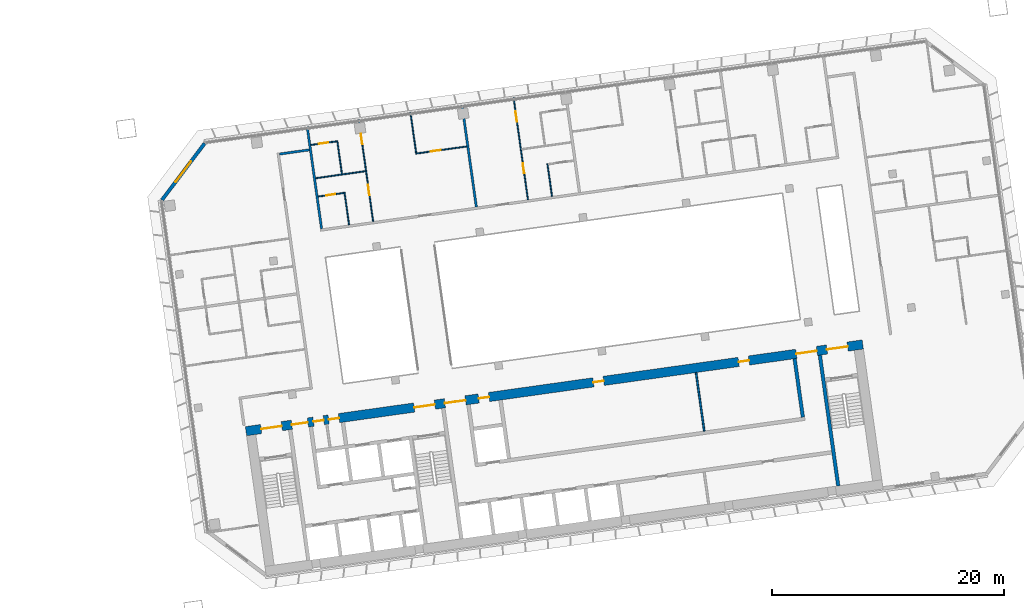
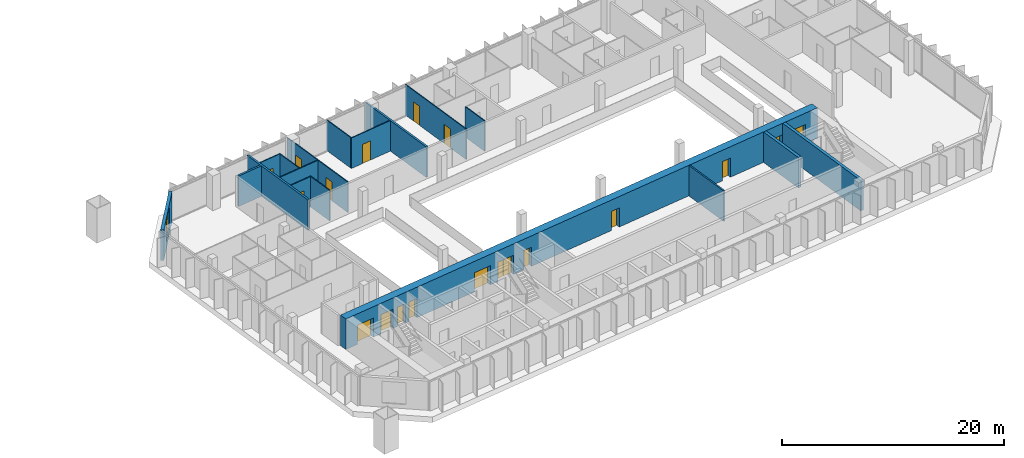
# One storey, part 21 of 27: 18 doors, 18 walls, 1 window, 19 openings.
"""IFC4 building model written with IfcOpenShell, lengths in metres."""

from ifc_helpers import new_model, si_unit, direction, frame, frame_2d, origin, place, context, subcontext, project, spatial, rectangle, extrude, material, layer, layer_set, type_object, element, fill, save


model = new_model("IFC4")

# Units and contexts
model_context = context("Model", 3, precision=1e-05, world=origin(), true_north=direction((0.0, 1.0)))
body_context = subcontext(model_context, "Body", "Model", "MODEL_VIEW")
ifc_project = project(units=[si_unit("LENGTHUNIT", "METRE"), si_unit("AREAUNIT", "SQUARE_METRE"), si_unit("VOLUMEUNIT", "CUBIC_METRE"), si_unit("PLANEANGLEUNIT", "RADIAN"), si_unit("MASSUNIT", "GRAM", prefix="KILO")], contexts=[model_context])

# Site, building, storey
site_placement = place(None, origin())
site = spatial("IfcSite", under=ifc_project, at=site_placement, CompositionType="ELEMENT")
building_placement = place(site_placement, origin())
building = spatial("IfcBuilding", under=site, at=building_placement, Name="Mirante Cascada Hotel Towers", CompositionType="ELEMENT")
storey_placement = place(building_placement, frame((0.0, 0.0, 117.7)))
storey = spatial("IfcBuildingStorey", under=building, at=storey_placement, Name="L26", CompositionType="ELEMENT", Elevation=117.7)

# Walls
ifc_material_1 = material(Name="Fire-rated plasterboard on metal studs")
ifc_layer_1 = layer(ifc_material_1, 0.2)
ifc_layer_set_1 = layer_set([ifc_layer_1], Name="Compartment wall 200 EI 120")
wall_type_1 = type_object("IfcWallType", Name="Compartment wall 200 EI 120", PredefinedType="PARTITIONING", material=ifc_layer_set_1)
wall_1_placement = place(storey_placement, frame((38.329, 16.3376, 0.0), z_axis=(0.0, 0.0, 1.0), x_axis=(0.9902647, 0.1391971, 0.0)))
element("IfcWall", 1, at=wall_1_placement, inside=storey, type_object=wall_type_1, Name="Wall 2-L26-27", PredefinedType="PARTITIONING", context=body_context, shape_type="SweptSolid", body=[
    extrude(rectangle(XDim=2.5999, YDim=0.2, at=frame_2d((1.3, 0.0))), origin(), (0.0, 0.0, 1.0), 3.35),
])
for number, where, z_axis, x_axis, name in (
    (2, (41.963, 9.8805, 0.0), (0.0, 0.0, 1.0), (-0.1391794, 0.9902672, 0.0), "Wall 2-L26-37"),
    (3, (54.0929, 20.5728, 0.0), (0.0, 0.0, 1.0), (0.1391794, -0.9902672, 0.0), "Wall 2-L26-42"),
):
    element("IfcWall", number, at=place(storey_placement, frame(where, z_axis=z_axis, x_axis=x_axis)), inside=storey, type_object=wall_type_1, Name=name, PredefinedType="PARTITIONING", context=body_context, shape_type="SweptSolid", body=[
        extrude(rectangle(XDim=8.9, YDim=0.2, at=frame_2d((4.45, 0.0))), origin(), (0.0, 0.0, 1.0), 3.35),
    ])
ifc_material_2 = material(Name="Masonry block", Category="masonry")
ifc_layer_2 = layer(ifc_material_2, 0.15)
ifc_layer_set_2 = layer_set([ifc_layer_2], Name="Core room partition 150 block EI 30")
wall_type_2 = type_object("IfcWallType", Name="Core room partition 150 block EI 30", PredefinedType="PARTITIONING", material=ifc_layer_set_2)
wall_2_placement = place(storey_placement, frame((75.016, -7.5894, 0.0), z_axis=(0.0, 0.0, 1.0), x_axis=(-0.1391755, 0.9902677, 0.0)))
element("IfcWall", 4, at=wall_2_placement, inside=storey, type_object=wall_type_2, Name="Core wall partition T2 L26 6", PredefinedType="PARTITIONING", context=body_context, shape_type="SweptSolid", body=[
    extrude(rectangle(XDim=5.1, YDim=0.15, at=frame_2d((2.55, 0.0))), origin(), (0.0, 0.0, 1.0), 3.35),
])

# Wall, opening, door
ifc_material_3 = material(Name="Plasterboard on metal studs")
ifc_layer_3 = layer(ifc_material_3, 0.1)
ifc_layer_set_3 = layer_set([ifc_layer_3], Name="Partition 100")
wall_type_3 = type_object("IfcWallType", Name="Partition 100", PredefinedType="PARTITIONING", material=ifc_layer_set_3)
wall_3_placement = place(storey_placement, frame((41.6723, 12.6672, 0.0), z_axis=(0.0, 0.0, 1.0), x_axis=(0.9902643, 0.1391997, 0.0)))
wall_3 = element("IfcWall", 5, at=wall_3_placement, inside=storey, type_object=wall_type_3, Name="Wall 2-L26-17", PredefinedType="PARTITIONING", context=body_context, shape_type="SweptSolid", body=[
    extrude(rectangle(XDim=2.25, YDim=0.1, at=frame_2d((1.125, 0.0))), origin(), (0.0, 0.0, 1.0), 3.35),
])
opening_1_placement = place(wall_3_placement, frame((0.7, 0.0, 0.0)))
opening_1 = element("IfcOpeningElement", 6, at=opening_1_placement, cuts=wall_3, Name="Opening D2-L26-13", PredefinedType="OPENING", context=body_context, shape_type="SweptSolid", body=[
    extrude(rectangle(XDim=0.8, YDim=2.1, at=frame_2d((0.4, 1.05))), frame((0.0, 0.05, 0.0), z_axis=(0.0, -1.0, 0.0), x_axis=(1.0, 0.0, 0.0)), (0.0, 0.0, 1.0), 0.1),
])
ifc_material_4 = material(Name="Timber door leaf", Category="wood")
door_type_1 = type_object("IfcDoorType", Name="Bathroom door DG4 800x2100", OperationType="SINGLE_SWING_LEFT", PredefinedType="DOOR", material=ifc_material_4)
door_1_placement = place(opening_1_placement, frame((0.8, 0.0, 0.0), z_axis=(0.0, 0.0, 1.0), x_axis=(-1.0, 0.0, 0.0)))
door_1 = element("IfcDoor", 7, at=door_1_placement, inside=storey, type_object=door_type_1, Name="Door D2-L26-13", OperationType="SINGLE_SWING_RIGHT", OverallHeight=2.1, OverallWidth=0.8, PredefinedType="DOOR", context=body_context, shape_type="SweptSolid", body=[
    extrude(rectangle(XDim=0.8, YDim=2.1, at=frame_2d((0.4, 1.05))), frame((0.0, 0.025, 0.0), z_axis=(0.0, -1.0, 0.0), x_axis=(1.0, 0.0, 0.0)), (0.0, 0.0, 1.0), 0.05),
])
fill(opening_1, door_1)

# Wall
wall_4_placement = place(storey_placement, frame((41.4496, 14.2516, 0.0), z_axis=(0.0, 0.0, 1.0), x_axis=(0.9902683, 0.1391714, 0.0)))
element("IfcWall", 8, at=wall_4_placement, inside=storey, type_object=wall_type_3, Name="Wall 2-L26-21", PredefinedType="PARTITIONING", context=body_context, shape_type="SweptSolid", body=[
    extrude(rectangle(XDim=4.35, YDim=0.1, at=frame_2d((2.175, 0.0))), origin(), (0.0, 0.0, 1.0), 3.35),
])

# Wall, opening, door
wall_5_placement = place(storey_placement, frame((50.0883, 16.3746, 0.0), z_axis=(0.0, 0.0, 1.0), x_axis=(0.9902683, 0.1391715, 0.0)))
wall_5 = element("IfcWall", 9, at=wall_5_placement, inside=storey, type_object=wall_type_3, Name="Wall 2-L26-25", PredefinedType="PARTITIONING", context=body_context, shape_type="SweptSolid", body=[
    extrude(rectangle(XDim=4.4499, YDim=0.1, at=frame_2d((2.225, 0.0))), origin(), (0.0, 0.0, 1.0), 3.35),
])
opening_2_placement = place(wall_5_placement, frame((1.3, 0.0, 0.0)))
opening_2 = element("IfcOpeningElement", 10, at=opening_2_placement, cuts=wall_5, Name="Opening D2-L26-18", PredefinedType="OPENING", context=body_context, shape_type="SweptSolid", body=[
    extrude(rectangle(XDim=0.9, YDim=2.1, at=frame_2d((0.45, 1.05))), frame((0.0, 0.05, 0.0), z_axis=(0.0, -1.0, 0.0), x_axis=(1.0, 0.0, 0.0)), (0.0, 0.0, 1.0), 0.1),
])
ifc_material_5 = material(Name="Timber door leaf", Category="wood")
door_type_2 = type_object("IfcDoorType", Name="Room door DG3 900x2100", OperationType="SINGLE_SWING_LEFT", PredefinedType="DOOR", material=ifc_material_5)
door_2_placement = place(opening_2_placement, frame((0.9, 0.0, 0.0), z_axis=(0.0, 0.0, 1.0), x_axis=(-1.0, 0.0, 0.0)))
door_2 = element("IfcDoor", 11, at=door_2_placement, inside=storey, type_object=door_type_2, Name="Door D2-L26-18", OperationType="SINGLE_SWING_RIGHT", OverallHeight=2.1, OverallWidth=0.9, PredefinedType="DOOR", context=body_context, shape_type="SweptSolid", body=[
    extrude(rectangle(XDim=0.9, YDim=2.1, at=frame_2d((0.45, 1.05))), frame((0.0, 0.025, 0.0), z_axis=(0.0, -1.0, 0.0), x_axis=(1.0, 0.0, 0.0)), (0.0, 0.0, 1.0), 0.05),
])
fill(opening_2, door_2)

wall_6_placement = place(storey_placement, frame((41.046, 17.1234, 0.0), z_axis=(0.0, 0.0, 1.0), x_axis=(0.9902643, 0.1391997, 0.0)))
wall_6 = element("IfcWall", 12, at=wall_6_placement, inside=storey, type_object=wall_type_3, Name="Wall 2-L26-29", PredefinedType="PARTITIONING", context=body_context, shape_type="SweptSolid", body=[
    extrude(rectangle(XDim=2.25, YDim=0.1, at=frame_2d((1.125, 0.0))), origin(), (0.0, 0.0, 1.0), 3.35),
])
opening_3_placement = place(wall_6_placement, frame((0.7, 0.0, 0.0)))
opening_3 = element("IfcOpeningElement", 13, at=opening_3_placement, cuts=wall_6, Name="Opening D2-L26-20", PredefinedType="OPENING", context=body_context, shape_type="SweptSolid", body=[
    extrude(rectangle(XDim=0.8, YDim=2.1, at=frame_2d((0.4, 1.05))), frame((0.0, 0.05, 0.0), z_axis=(0.0, -1.0, 0.0), x_axis=(1.0, 0.0, 0.0)), (0.0, 0.0, 1.0), 0.1),
])
door_3_placement = place(opening_3_placement, frame((0.8, 0.0, 0.0), z_axis=(0.0, 0.0, 1.0), x_axis=(-1.0, 0.0, 0.0)))
door_3 = element("IfcDoor", 14, at=door_3_placement, inside=storey, type_object=door_type_1, Name="Door D2-L26-20", OperationType="SINGLE_SWING_RIGHT", OverallHeight=2.1, OverallWidth=0.8, PredefinedType="DOOR", context=body_context, shape_type="SweptSolid", body=[
    extrude(rectangle(XDim=0.8, YDim=2.1, at=frame_2d((0.4, 1.05))), frame((0.0, 0.025, 0.0), z_axis=(0.0, -1.0, 0.0), x_axis=(1.0, 0.0, 0.0)), (0.0, 0.0, 1.0), 0.05),
])
fill(opening_3, door_3)

# Walls
wall_7_placement = place(storey_placement, frame((43.943, 13.0368, 0.0), z_axis=(0.0, 0.0, 1.0), x_axis=(0.1391613, -0.9902697, 0.0)))
element("IfcWall", 15, at=wall_7_placement, inside=storey, type_object=wall_type_3, Name="Wall 2-L26-38", PredefinedType="PARTITIONING", context=body_context, shape_type="SweptSolid", body=[
    extrude(rectangle(XDim=2.8499, YDim=0.1, at=frame_2d((1.425, 0.0))), origin(), (0.0, 0.0, 1.0), 3.35),
])
wall_8_placement = place(storey_placement, frame((43.7203, 14.6213, 0.0), z_axis=(0.0, 0.0, 1.0), x_axis=(-0.1391761, 0.9902676, 0.0)))
element("IfcWall", 16, at=wall_8_placement, inside=storey, type_object=wall_type_3, Name="Wall 2-L26-39", PredefinedType="PARTITIONING", context=body_context, shape_type="SweptSolid", body=[
    extrude(rectangle(XDim=2.8999, YDim=0.1, at=frame_2d((1.45, 0.0))), origin(), (0.0, 0.0, 1.0), 3.35),
])

# Wall, openings, doors
wall_9_placement = place(storey_placement, frame((45.1805, 19.3202, 0.0), z_axis=(0.0, 0.0, 1.0), x_axis=(0.1391794, -0.9902672, 0.0)))
wall_9 = element("IfcWall", 17, at=wall_9_placement, inside=storey, type_object=wall_type_3, Name="Wall 2-L26-40", PredefinedType="PARTITIONING", context=body_context, shape_type="SweptSolid", body=[
    extrude(rectangle(XDim=8.9, YDim=0.1, at=frame_2d((4.45, 0.0))), origin(), (0.0, 0.0, 1.0), 3.35),
])
opening_4_placement = place(wall_9_placement, frame((5.7, 0.0, 0.0)))
opening_4 = element("IfcOpeningElement", 18, at=opening_4_placement, cuts=wall_9, Name="Opening D2-L26-28", PredefinedType="OPENING", context=body_context, shape_type="SweptSolid", body=[
    extrude(rectangle(XDim=0.9, YDim=2.1, at=frame_2d((0.45, 1.05))), frame((0.0, 0.05, 0.0), z_axis=(0.0, -1.0, 0.0), x_axis=(1.0, 0.0, 0.0)), (0.0, 0.0, 1.0), 0.1),
])
opening_5_placement = place(wall_9_placement, frame((1.25, 0.0, 0.0)))
opening_5 = element("IfcOpeningElement", 19, at=opening_5_placement, cuts=wall_9, Name="Opening D2-L26-29", PredefinedType="OPENING", context=body_context, shape_type="SweptSolid", body=[
    extrude(rectangle(XDim=0.9, YDim=2.1, at=frame_2d((0.45, 1.05))), frame((0.0, 0.05, 0.0), z_axis=(0.0, -1.0, 0.0), x_axis=(1.0, 0.0, 0.0)), (0.0, 0.0, 1.0), 0.1),
])
door_4_placement = place(opening_4_placement, origin())
door_4 = element("IfcDoor", 20, at=door_4_placement, inside=storey, type_object=door_type_2, Name="Door D2-L26-28", OperationType="SINGLE_SWING_LEFT", OverallHeight=2.1, OverallWidth=0.9, PredefinedType="DOOR", context=body_context, shape_type="SweptSolid", body=[
    extrude(rectangle(XDim=0.9, YDim=2.1, at=frame_2d((0.45, 1.05))), frame((0.0, 0.025, 0.0), z_axis=(0.0, -1.0, 0.0), x_axis=(1.0, 0.0, 0.0)), (0.0, 0.0, 1.0), 0.05),
])
fill(opening_4, door_4)
door_5_placement = place(opening_5_placement, origin())
door_5 = element("IfcDoor", 21, at=door_5_placement, inside=storey, type_object=door_type_2, Name="Door D2-L26-29", OperationType="SINGLE_SWING_LEFT", OverallHeight=2.1, OverallWidth=0.9, PredefinedType="DOOR", context=body_context, shape_type="SweptSolid", body=[
    extrude(rectangle(XDim=0.9, YDim=2.1, at=frame_2d((0.45, 1.05))), frame((0.0, 0.025, 0.0), z_axis=(0.0, -1.0, 0.0), x_axis=(1.0, 0.0, 0.0)), (0.0, 0.0, 1.0), 0.05),
])
fill(opening_5, door_5)

# Wall
wall_10_placement = place(storey_placement, frame((50.1308, 16.431, 0.0), z_axis=(0.0, 0.0, 1.0), x_axis=(-0.139181, 0.990267, 0.0)))
element("IfcWall", 22, at=wall_10_placement, inside=storey, type_object=wall_type_3, Name="Wall 2-L26-41", PredefinedType="PARTITIONING", context=body_context, shape_type="SweptSolid", body=[
    extrude(rectangle(XDim=3.5501, YDim=0.1, at=frame_2d((1.775, 0.0))), origin(), (0.0, 0.0, 1.0), 3.35),
])

# Wall, openings, doors
wall_11_placement = place(storey_placement, frame((59.7878, 12.3857, 0.0), z_axis=(0.0, 0.0, 1.0), x_axis=(-0.13917, 0.9902685, 0.0)))
wall_11 = element("IfcWall", 23, at=wall_11_placement, inside=storey, type_object=wall_type_3, Name="Wall 2-L26-43", PredefinedType="PARTITIONING", context=body_context, shape_type="SweptSolid", body=[
    extrude(rectangle(XDim=8.8999, YDim=0.1, at=frame_2d((4.45, 0.0))), origin(), (0.0, 0.0, 1.0), 3.35),
])
opening_6_placement = place(wall_11_placement, frame((2.3, 0.0, 0.0)))
opening_6 = element("IfcOpeningElement", 24, at=opening_6_placement, cuts=wall_11, Name="Opening D2-L26-30", PredefinedType="OPENING", context=body_context, shape_type="SweptSolid", body=[
    extrude(rectangle(XDim=0.9, YDim=2.1, at=frame_2d((0.45, 1.05))), frame((0.0, 0.05, 0.0), z_axis=(0.0, -1.0, 0.0), x_axis=(1.0, 0.0, 0.0)), (0.0, 0.0, 1.0), 0.1),
])
opening_7_placement = place(wall_11_placement, frame((6.8, 0.0, 0.0)))
opening_7 = element("IfcOpeningElement", 25, at=opening_7_placement, cuts=wall_11, Name="Opening D2-L26-31", PredefinedType="OPENING", context=body_context, shape_type="SweptSolid", body=[
    extrude(rectangle(XDim=0.9, YDim=2.1, at=frame_2d((0.45, 1.05))), frame((0.0, 0.05, 0.0), z_axis=(0.0, -1.0, 0.0), x_axis=(1.0, 0.0, 0.0)), (0.0, 0.0, 1.0), 0.1),
])
door_6_placement = place(opening_6_placement, origin())
door_6 = element("IfcDoor", 26, at=door_6_placement, inside=storey, type_object=door_type_2, Name="Door D2-L26-30", OperationType="SINGLE_SWING_LEFT", OverallHeight=2.1, OverallWidth=0.9, PredefinedType="DOOR", context=body_context, shape_type="SweptSolid", body=[
    extrude(rectangle(XDim=0.9, YDim=2.1, at=frame_2d((0.45, 1.05))), frame((0.0, 0.025, 0.0), z_axis=(0.0, -1.0, 0.0), x_axis=(1.0, 0.0, 0.0)), (0.0, 0.0, 1.0), 0.05),
])
fill(opening_6, door_6)
door_7_placement = place(opening_7_placement, origin())
door_7 = element("IfcDoor", 27, at=door_7_placement, inside=storey, type_object=door_type_2, Name="Door D2-L26-31", OperationType="SINGLE_SWING_LEFT", OverallHeight=2.1, OverallWidth=0.9, PredefinedType="DOOR", context=body_context, shape_type="SweptSolid", body=[
    extrude(rectangle(XDim=0.9, YDim=2.1, at=frame_2d((0.45, 1.05))), frame((0.0, 0.025, 0.0), z_axis=(0.0, -1.0, 0.0), x_axis=(1.0, 0.0, 0.0)), (0.0, 0.0, 1.0), 0.05),
])
fill(opening_7, door_7)

# Wall
wall_12_placement = place(storey_placement, frame((61.4707, 15.5002, 0.0), z_axis=(0.0, 0.0, 1.0), x_axis=(0.1391909, -0.9902656, 0.0)))
element("IfcWall", 28, at=wall_12_placement, inside=storey, type_object=wall_type_3, Name="Wall 2-L26-44", PredefinedType="PARTITIONING", context=body_context, shape_type="SweptSolid", body=[
    extrude(rectangle(XDim=2.85, YDim=0.1, at=frame_2d((1.425, 0.0))), origin(), (0.0, 0.0, 1.0), 3.35),
])

# Wall, opening, window
ifc_material_6 = material(Name="Precast concrete C40/50", Category="concrete")
ifc_layer_4 = layer(ifc_material_6, 0.3)
ifc_layer_set_4 = layer_set([ifc_layer_4], Name="Precast concrete C40/50 cladding wall 300")
wall_type_4 = type_object("IfcWallType", Name="Precast concrete C40/50 cladding wall 300", PredefinedType="STANDARD", material=ifc_layer_set_4)
wall_13_placement = place(storey_placement, frame((31.857, 17.252, 0.0), z_axis=(0.0, 0.0, 1.0), x_axis=(-0.6018141, -0.7986362, 0.0)))
wall_13 = element("IfcWall", 29, at=wall_13_placement, inside=storey, type_object=wall_type_4, Name="Corner cladding wall T2 L26 front inner", PredefinedType="STANDARD", context=body_context, shape_type="SweptSolid", body=[
    extrude(rectangle(XDim=6.1157, YDim=0.3, at=frame_2d((3.0578, 0.0))), origin(), (0.0, 0.0, 1.0), 3.35),
])
opening_8_placement = place(wall_13_placement, frame((1.9578, 0.0, 0.6)))
opening_8 = element("IfcOpeningElement", 30, at=opening_8_placement, cuts=wall_13, Name="Opening W2-26-05", PredefinedType="OPENING", context=body_context, shape_type="SweptSolid", body=[
    extrude(rectangle(XDim=2.2, YDim=2.4, at=frame_2d((1.1, 1.2))), frame((0.0, 0.15, 0.0), z_axis=(0.0, -1.0, 0.0), x_axis=(1.0, 0.0, 0.0)), (0.0, 0.0, 1.0), 0.3),
])
ifc_material_7 = material(Name="Aluminium frame with clear double glazing", Category="aluminium")
window_type = type_object("IfcWindowType", Name="Corner suite window 2200x2400", PartitioningType="DOUBLE_PANEL_VERTICAL", PredefinedType="WINDOW", material=ifc_material_7)
window_placement = place(opening_8_placement, origin())
window = element("IfcWindow", 31, at=window_placement, inside=storey, type_object=window_type, Name="Window W2-26-05", OverallHeight=2.4, OverallWidth=2.2, PartitioningType="SINGLE_PANEL", PredefinedType="WINDOW", context=body_context, shape_type="SweptSolid", body=[
    extrude(rectangle(XDim=2.2, YDim=2.4, at=frame_2d((1.1, 1.2))), frame((0.0, 0.03, 0.0), z_axis=(0.0, -1.0, 0.0), x_axis=(1.0, 0.0, 0.0)), (0.0, 0.0, 1.0), 0.06),
])
fill(opening_8, window)

# Walls
ifc_material_8 = material(Name="Concrete C50/60", Category="concrete")
ifc_layer_5 = layer(ifc_material_8, 0.3)
ifc_layer_set_5 = layer_set([ifc_layer_5], Name="RC core wall 300 C50/60")
wall_type_5 = type_object("IfcWallType", Name="RC core wall 300 C50/60", PredefinedType="SHEAR", material=ifc_layer_set_5)
wall_14_placement = place(storey_placement, frame((86.5877, -12.325, 0.0), z_axis=(0.0, 0.0, 1.0), x_axis=(-0.1391749, 0.9902678, 0.0)))
element("IfcWall", 32, at=wall_14_placement, inside=storey, type_object=wall_type_5, Name="Core wall T2:L26:8", PredefinedType="SHEAR", context=body_context, shape_type="SweptSolid", body=[
    extrude(rectangle(XDim=11.4, YDim=0.3, at=frame_2d((5.7, 0.0))), origin(), (0.0, 0.0, 1.0), 3.35),
])
wall_15_placement = place(storey_placement, frame((83.5323, -6.3925, 0.0), z_axis=(0.0, 0.0, 1.0), x_axis=(-0.1391755, 0.9902677, 0.0)))
element("IfcWall", 33, at=wall_15_placement, inside=storey, type_object=wall_type_5, Name="Core wall T2:L26:34", PredefinedType="SHEAR", context=body_context, shape_type="SweptSolid", body=[
    extrude(rectangle(XDim=5.1, YDim=0.3, at=frame_2d((2.55, 0.0))), origin(), (0.0, 0.0, 1.0), 3.35),
])

# Wall, openings, doors
ifc_material_9 = material(Name="Concrete C50/60", Category="concrete")
ifc_layer_6 = layer(ifc_material_9, 0.8)
ifc_layer_set_6 = layer_set([ifc_layer_6], Name="RC core wall 800 C50/60")
wall_type_6 = type_object("IfcWallType", Name="RC core wall 800 C50/60", PredefinedType="SHEAR", material=ifc_layer_set_6)
wall_16_placement = place(storey_placement, frame((35.432, -7.5985, 0.0), z_axis=(0.0, 0.0, 1.0), x_axis=(0.9902681, 0.1391729, 0.0)))
wall_16 = element("IfcWall", 34, at=wall_16_placement, inside=storey, type_object=wall_type_6, Name="Core wall T2:L26:2", PredefinedType="SHEAR", context=body_context, shape_type="SweptSolid", body=[
    extrude(rectangle(XDim=53.8, YDim=0.8, at=frame_2d((26.9, 0.0))), origin(), (0.0, 0.0, 1.0), 3.35),
])
opening_9_placement = place(wall_16_placement, frame((1.325, 0.0, 0.0)))
opening_9 = element("IfcOpeningElement", 35, at=opening_9_placement, cuts=wall_16, Name="Opening D2-26-C14", PredefinedType="OPENING", context=body_context, shape_type="SweptSolid", body=[
    extrude(rectangle(XDim=1.8, YDim=2.1, at=frame_2d((0.9, 1.05))), frame((0.0, 0.4, 0.0), z_axis=(0.0, -1.0, 0.0), x_axis=(1.0, 0.0, 0.0)), (0.0, 0.0, 1.0), 0.8),
])
opening_10_placement = place(wall_16_placement, frame((14.675, 0.0, 0.0)))
opening_10 = element("IfcOpeningElement", 36, at=opening_10_placement, cuts=wall_16, Name="Opening D2-26-C16", PredefinedType="OPENING", context=body_context, shape_type="SweptSolid", body=[
    extrude(rectangle(XDim=1.8, YDim=2.1, at=frame_2d((0.9, 1.05))), frame((0.0, 0.4, 0.0), z_axis=(0.0, -1.0, 0.0), x_axis=(1.0, 0.0, 0.0)), (0.0, 0.0, 1.0), 0.8),
])
opening_11_placement = place(wall_16_placement, frame((50.675, 0.0, 0.0)))
opening_11 = element("IfcOpeningElement", 37, at=opening_11_placement, cuts=wall_16, Name="Opening D2-26-C18", PredefinedType="OPENING", context=body_context, shape_type="SweptSolid", body=[
    extrude(rectangle(XDim=1.8, YDim=2.1, at=frame_2d((0.9, 1.05))), frame((0.0, 0.4, 0.0), z_axis=(0.0, -1.0, 0.0), x_axis=(1.0, 0.0, 0.0)), (0.0, 0.0, 1.0), 0.8),
])
opening_12_placement = place(wall_16_placement, frame((4.0, 0.0, 0.0)))
opening_12 = element("IfcOpeningElement", 38, at=opening_12_placement, cuts=wall_16, Name="Opening D2-26-C19", PredefinedType="OPENING", context=body_context, shape_type="SweptSolid", body=[
    extrude(rectangle(XDim=1.4, YDim=2.1, at=frame_2d((0.7, 1.05))), frame((0.0, 0.4, 0.0), z_axis=(0.0, -1.0, 0.0), x_axis=(1.0, 0.0, 0.0)), (0.0, 0.0, 1.0), 0.8),
])
opening_13_placement = place(wall_16_placement, frame((17.35, 0.0, 0.0)))
opening_13 = element("IfcOpeningElement", 39, at=opening_13_placement, cuts=wall_16, Name="Opening D2-26-C20", PredefinedType="OPENING", context=body_context, shape_type="SweptSolid", body=[
    extrude(rectangle(XDim=1.8, YDim=2.1, at=frame_2d((0.9, 1.05))), frame((0.0, 0.4, 0.0), z_axis=(0.0, -1.0, 0.0), x_axis=(1.0, 0.0, 0.0)), (0.0, 0.0, 1.0), 0.8),
])
opening_14_placement = place(wall_16_placement, frame((48.0, 0.0, 0.0)))
opening_14 = element("IfcOpeningElement", 40, at=opening_14_placement, cuts=wall_16, Name="Opening D2-26-C21", PredefinedType="OPENING", context=body_context, shape_type="SweptSolid", body=[
    extrude(rectangle(XDim=1.8, YDim=2.1, at=frame_2d((0.9, 1.05))), frame((0.0, 0.4, 0.0), z_axis=(0.0, -1.0, 0.0), x_axis=(1.0, 0.0, 0.0)), (0.0, 0.0, 1.0), 0.8),
])
opening_15_placement = place(wall_16_placement, frame((5.8875, 0.0, 0.0)))
opening_15 = element("IfcOpeningElement", 41, at=opening_15_placement, cuts=wall_16, Name="Opening D2-26-C24", PredefinedType="OPENING", context=body_context, shape_type="SweptSolid", body=[
    extrude(rectangle(XDim=0.9, YDim=2.1, at=frame_2d((0.45, 1.05))), frame((0.0, 0.4, 0.0), z_axis=(0.0, -1.0, 0.0), x_axis=(1.0, 0.0, 0.0)), (0.0, 0.0, 1.0), 0.8),
])
opening_16_placement = place(wall_16_placement, frame((7.2125, 0.0, 0.0)))
opening_16 = element("IfcOpeningElement", 42, at=opening_16_placement, cuts=wall_16, Name="Opening D2-26-C25", PredefinedType="OPENING", context=body_context, shape_type="SweptSolid", body=[
    extrude(rectangle(XDim=0.9, YDim=2.1, at=frame_2d((0.45, 1.05))), frame((0.0, 0.4, 0.0), z_axis=(0.0, -1.0, 0.0), x_axis=(1.0, 0.0, 0.0)), (0.0, 0.0, 1.0), 0.8),
])
opening_17_placement = place(wall_16_placement, frame((20.3, 0.0, 0.0)))
opening_17 = element("IfcOpeningElement", 43, at=opening_17_placement, cuts=wall_16, Name="Opening D2-26-C28", PredefinedType="OPENING", context=body_context, shape_type="SweptSolid", body=[
    extrude(rectangle(XDim=0.9, YDim=2.1, at=frame_2d((0.45, 1.05))), frame((0.0, 0.4, 0.0), z_axis=(0.0, -1.0, 0.0), x_axis=(1.0, 0.0, 0.0)), (0.0, 0.0, 1.0), 0.8),
])
opening_18_placement = place(wall_16_placement, frame((30.3, 0.0, 0.0)))
opening_18 = element("IfcOpeningElement", 44, at=opening_18_placement, cuts=wall_16, Name="Opening D2-26-C29", PredefinedType="OPENING", context=body_context, shape_type="SweptSolid", body=[
    extrude(rectangle(XDim=0.9, YDim=2.1, at=frame_2d((0.45, 1.05))), frame((0.0, 0.4, 0.0), z_axis=(0.0, -1.0, 0.0), x_axis=(1.0, 0.0, 0.0)), (0.0, 0.0, 1.0), 0.8),
])
opening_19_placement = place(wall_16_placement, frame((42.975, 0.0, 0.0)))
opening_19 = element("IfcOpeningElement", 45, at=opening_19_placement, cuts=wall_16, Name="Opening D2-26-C30", PredefinedType="OPENING", context=body_context, shape_type="SweptSolid", body=[
    extrude(rectangle(XDim=0.9, YDim=2.1, at=frame_2d((0.45, 1.05))), frame((0.0, 0.4, 0.0), z_axis=(0.0, -1.0, 0.0), x_axis=(1.0, 0.0, 0.0)), (0.0, 0.0, 1.0), 0.8),
])
ifc_material_10 = material(Name="Hollow metal fire door leaf")
door_type_3 = type_object("IfcDoorType", Name="Double fire door 1400x2100 FD60", OperationType="DOUBLE_DOOR_SINGLE_SWING", PredefinedType="DOOR", material=ifc_material_10)
door_8_placement = place(opening_12_placement, origin())
door_8 = element("IfcDoor", 46, at=door_8_placement, inside=storey, type_object=door_type_3, Name="Exit door to gallery T2 L26 19", OperationType="DOUBLE_DOOR_SINGLE_SWING", OverallHeight=2.1, OverallWidth=1.4, PredefinedType="DOOR", context=body_context, shape_type="SweptSolid", body=[
    extrude(rectangle(XDim=0.695, YDim=2.1, at=frame_2d((0.3475, 1.05))), frame((0.0, 0.025, 0.0), z_axis=(0.0, -1.0, 0.0), x_axis=(1.0, 0.0, 0.0)), (0.0, 0.0, 1.0), 0.05),
    extrude(rectangle(XDim=0.695, YDim=2.1, at=frame_2d((1.0525, 1.05))), frame((0.0, 0.025, 0.0), z_axis=(0.0, -1.0, 0.0), x_axis=(1.0, 0.0, 0.0)), (0.0, 0.0, 1.0), 0.05),
])
fill(opening_12, door_8)
ifc_material_11 = material(Name="Hollow metal fire door leaf")
door_type_4 = type_object("IfcDoorType", Name="Double fire door 1800x2100 FD60", OperationType="DOUBLE_DOOR_SINGLE_SWING", PredefinedType="DOOR", material=ifc_material_11)
door_9_placement = place(opening_9_placement, frame((1.8, 0.0, 0.0), z_axis=(0.0, 0.0, 1.0), x_axis=(-1.0, 0.0, 0.0)))
door_9 = element("IfcDoor", 47, at=door_9_placement, inside=storey, type_object=door_type_4, Name="Exit door to gallery T2 L26 14", OperationType="DOUBLE_DOOR_SINGLE_SWING", OverallHeight=2.1, OverallWidth=1.8, PredefinedType="DOOR", context=body_context, shape_type="SweptSolid", body=[
    extrude(rectangle(XDim=0.895, YDim=2.1, at=frame_2d((0.4475, 1.05))), frame((0.0, 0.025, 0.0), z_axis=(0.0, -1.0, 0.0), x_axis=(1.0, 0.0, 0.0)), (0.0, 0.0, 1.0), 0.05),
    extrude(rectangle(XDim=0.895, YDim=2.1, at=frame_2d((1.3525, 1.05))), frame((0.0, 0.025, 0.0), z_axis=(0.0, -1.0, 0.0), x_axis=(1.0, 0.0, 0.0)), (0.0, 0.0, 1.0), 0.05),
])
fill(opening_9, door_9)
door_10_placement = place(opening_10_placement, frame((1.8, 0.0, 0.0), z_axis=(0.0, 0.0, 1.0), x_axis=(-1.0, 0.0, 0.0)))
door_10 = element("IfcDoor", 48, at=door_10_placement, inside=storey, type_object=door_type_4, Name="Exit door to gallery T2 L26 16", OperationType="DOUBLE_DOOR_SINGLE_SWING", OverallHeight=2.1, OverallWidth=1.8, PredefinedType="DOOR", context=body_context, shape_type="SweptSolid", body=[
    extrude(rectangle(XDim=0.895, YDim=2.1, at=frame_2d((0.4475, 1.05))), frame((0.0, 0.025, 0.0), z_axis=(0.0, -1.0, 0.0), x_axis=(1.0, 0.0, 0.0)), (0.0, 0.0, 1.0), 0.05),
    extrude(rectangle(XDim=0.895, YDim=2.1, at=frame_2d((1.3525, 1.05))), frame((0.0, 0.025, 0.0), z_axis=(0.0, -1.0, 0.0), x_axis=(1.0, 0.0, 0.0)), (0.0, 0.0, 1.0), 0.05),
])
fill(opening_10, door_10)
door_11_placement = place(opening_11_placement, frame((1.8, 0.0, 0.0), z_axis=(0.0, 0.0, 1.0), x_axis=(-1.0, 0.0, 0.0)))
door_11 = element("IfcDoor", 49, at=door_11_placement, inside=storey, type_object=door_type_4, Name="Exit door to gallery T2 L26 18", OperationType="DOUBLE_DOOR_SINGLE_SWING", OverallHeight=2.1, OverallWidth=1.8, PredefinedType="DOOR", context=body_context, shape_type="SweptSolid", body=[
    extrude(rectangle(XDim=0.895, YDim=2.1, at=frame_2d((0.4475, 1.05))), frame((0.0, 0.025, 0.0), z_axis=(0.0, -1.0, 0.0), x_axis=(1.0, 0.0, 0.0)), (0.0, 0.0, 1.0), 0.05),
    extrude(rectangle(XDim=0.895, YDim=2.1, at=frame_2d((1.3525, 1.05))), frame((0.0, 0.025, 0.0), z_axis=(0.0, -1.0, 0.0), x_axis=(1.0, 0.0, 0.0)), (0.0, 0.0, 1.0), 0.05),
])
fill(opening_11, door_11)
door_12_placement = place(opening_13_placement, origin())
door_12 = element("IfcDoor", 50, at=door_12_placement, inside=storey, type_object=door_type_4, Name="Exit door to gallery T2 L26 20", OperationType="DOUBLE_DOOR_SINGLE_SWING", OverallHeight=2.1, OverallWidth=1.8, PredefinedType="DOOR", context=body_context, shape_type="SweptSolid", body=[
    extrude(rectangle(XDim=0.895, YDim=2.1, at=frame_2d((0.4475, 1.05))), frame((0.0, 0.025, 0.0), z_axis=(0.0, -1.0, 0.0), x_axis=(1.0, 0.0, 0.0)), (0.0, 0.0, 1.0), 0.05),
    extrude(rectangle(XDim=0.895, YDim=2.1, at=frame_2d((1.3525, 1.05))), frame((0.0, 0.025, 0.0), z_axis=(0.0, -1.0, 0.0), x_axis=(1.0, 0.0, 0.0)), (0.0, 0.0, 1.0), 0.05),
])
fill(opening_13, door_12)
door_13_placement = place(opening_14_placement, origin())
door_13 = element("IfcDoor", 51, at=door_13_placement, inside=storey, type_object=door_type_4, Name="Exit door to gallery T2 L26 21", OperationType="DOUBLE_DOOR_SINGLE_SWING", OverallHeight=2.1, OverallWidth=1.8, PredefinedType="DOOR", context=body_context, shape_type="SweptSolid", body=[
    extrude(rectangle(XDim=0.895, YDim=2.1, at=frame_2d((0.4475, 1.05))), frame((0.0, 0.025, 0.0), z_axis=(0.0, -1.0, 0.0), x_axis=(1.0, 0.0, 0.0)), (0.0, 0.0, 1.0), 0.05),
    extrude(rectangle(XDim=0.895, YDim=2.1, at=frame_2d((1.3525, 1.05))), frame((0.0, 0.025, 0.0), z_axis=(0.0, -1.0, 0.0), x_axis=(1.0, 0.0, 0.0)), (0.0, 0.0, 1.0), 0.05),
])
fill(opening_14, door_13)
ifc_material_12 = material(Name="Hollow metal fire door leaf")
door_type_5 = type_object("IfcDoorType", Name="Fire door 900x2100 FD60", OperationType="NOTDEFINED", PredefinedType="DOOR", material=ifc_material_12)
door_14_placement = place(opening_15_placement, frame((0.9, 0.0, 0.0), z_axis=(0.0, 0.0, 1.0), x_axis=(-1.0, 0.0, 0.0)))
door_14 = element("IfcDoor", 52, at=door_14_placement, inside=storey, type_object=door_type_5, Name="Room door T2 L26 24", OperationType="SINGLE_SWING_LEFT", OverallHeight=2.1, OverallWidth=0.9, PredefinedType="DOOR", context=body_context, shape_type="SweptSolid", body=[
    extrude(rectangle(XDim=0.9, YDim=2.1, at=frame_2d((0.45, 1.05))), frame((0.0, 0.025, 0.0), z_axis=(0.0, -1.0, 0.0), x_axis=(1.0, 0.0, 0.0)), (0.0, 0.0, 1.0), 0.05),
])
fill(opening_15, door_14)
door_15_placement = place(opening_16_placement, frame((0.9, 0.0, 0.0), z_axis=(0.0, 0.0, 1.0), x_axis=(-1.0, 0.0, 0.0)))
door_15 = element("IfcDoor", 53, at=door_15_placement, inside=storey, type_object=door_type_5, Name="Room door T2 L26 25", OperationType="SINGLE_SWING_LEFT", OverallHeight=2.1, OverallWidth=0.9, PredefinedType="DOOR", context=body_context, shape_type="SweptSolid", body=[
    extrude(rectangle(XDim=0.9, YDim=2.1, at=frame_2d((0.45, 1.05))), frame((0.0, 0.025, 0.0), z_axis=(0.0, -1.0, 0.0), x_axis=(1.0, 0.0, 0.0)), (0.0, 0.0, 1.0), 0.05),
])
fill(opening_16, door_15)
door_16_placement = place(opening_17_placement, frame((0.9, 0.0, 0.0), z_axis=(0.0, 0.0, 1.0), x_axis=(-1.0, 0.0, 0.0)))
door_16 = element("IfcDoor", 54, at=door_16_placement, inside=storey, type_object=door_type_5, Name="Room door T2 L26 28", OperationType="SINGLE_SWING_LEFT", OverallHeight=2.1, OverallWidth=0.9, PredefinedType="DOOR", context=body_context, shape_type="SweptSolid", body=[
    extrude(rectangle(XDim=0.9, YDim=2.1, at=frame_2d((0.45, 1.05))), frame((0.0, 0.025, 0.0), z_axis=(0.0, -1.0, 0.0), x_axis=(1.0, 0.0, 0.0)), (0.0, 0.0, 1.0), 0.05),
])
fill(opening_17, door_16)
door_17_placement = place(opening_18_placement, frame((0.9, 0.0, 0.0), z_axis=(0.0, 0.0, 1.0), x_axis=(-1.0, 0.0, 0.0)))
door_17 = element("IfcDoor", 55, at=door_17_placement, inside=storey, type_object=door_type_5, Name="Room door T2 L26 29", OperationType="SINGLE_SWING_RIGHT", OverallHeight=2.1, OverallWidth=0.9, PredefinedType="DOOR", context=body_context, shape_type="SweptSolid", body=[
    extrude(rectangle(XDim=0.9, YDim=2.1, at=frame_2d((0.45, 1.05))), frame((0.0, 0.025, 0.0), z_axis=(0.0, -1.0, 0.0), x_axis=(1.0, 0.0, 0.0)), (0.0, 0.0, 1.0), 0.05),
])
fill(opening_18, door_17)
door_18_placement = place(opening_19_placement, frame((0.9, 0.0, 0.0), z_axis=(0.0, 0.0, 1.0), x_axis=(-1.0, 0.0, 0.0)))
door_18 = element("IfcDoor", 56, at=door_18_placement, inside=storey, type_object=door_type_5, Name="Room door T2 L26 30", OperationType="SINGLE_SWING_RIGHT", OverallHeight=2.1, OverallWidth=0.9, PredefinedType="DOOR", context=body_context, shape_type="SweptSolid", body=[
    extrude(rectangle(XDim=0.9, YDim=2.1, at=frame_2d((0.45, 1.05))), frame((0.0, 0.025, 0.0), z_axis=(0.0, -1.0, 0.0), x_axis=(1.0, 0.0, 0.0)), (0.0, 0.0, 1.0), 0.05),
])
fill(opening_19, door_18)

save(model, "model.ifc")
